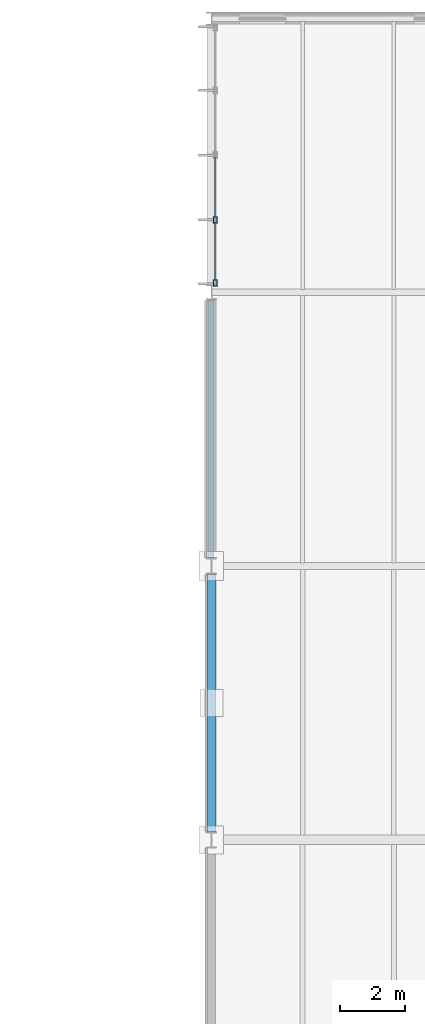
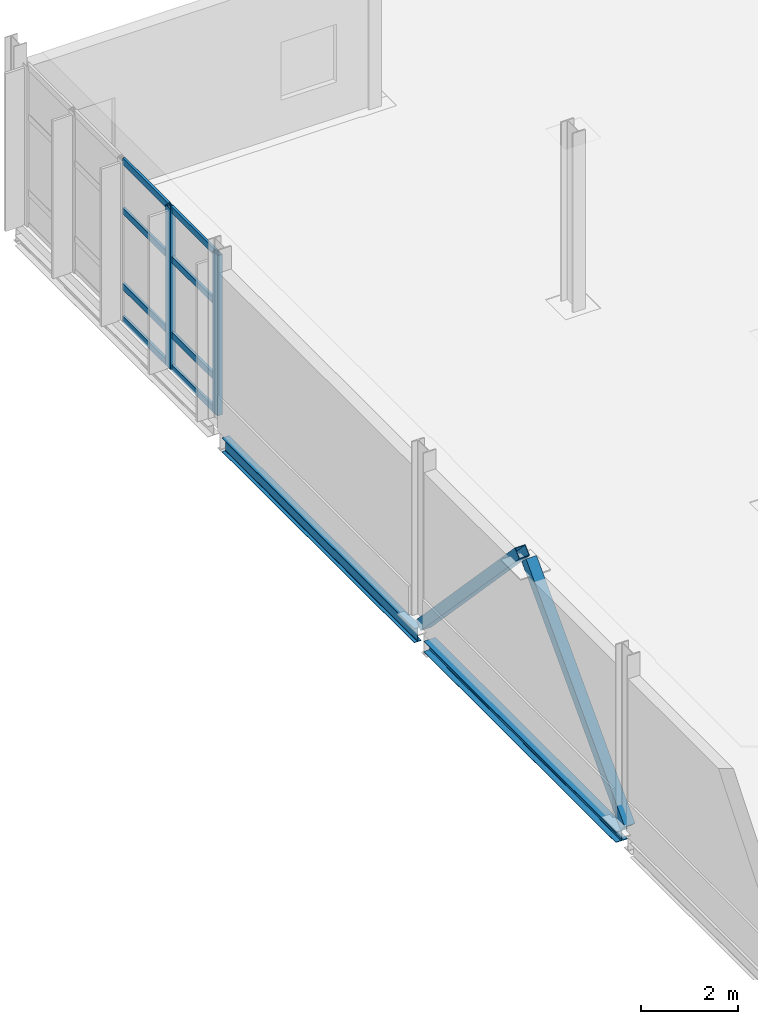
# One storey, part 70 of 129: 12 members, 2 beams, 1 element without a shape of its own.
"""IFC4 building model written with IfcOpenShell, lengths in metres."""

import ifcopenshell
import ifcopenshell.guid

model = None  # the IFC model being written
_history = None  # IfcOwnerHistory: only IFC2X3 demands one
_inside = {}  # id of a spatial element -> (the spatial element, [elements in it])
_under = {}  # id of a project, library or spatial element -> (it, [spatial elements below it])
_declared = {}  # id of a project -> (the project, [libraries it declares])
_typed = {}  # id of a type object -> (the type object, [elements of that type])
_made_of = {}  # id of a material, layer set ... -> (it, [elements and type objects made of it])


def new_model(schema):
    """Start an empty IFC model of exactly this schema.

    Asked for "IFC4X3", IfcOpenShell would pick the latest addendum, in which some entities
    have other attributes; the version numbers below select the first issue.
    IFC2X3 requires an IfcOwnerHistory on every rooted entity: one is made here for all.
    """
    global model, _history
    if schema == "IFC4X3":
        model = ifcopenshell.file(schema_version=(4, 3, 0, 0))
    else:
        model = ifcopenshell.file(schema=schema)
    _inside.clear()
    _under.clear()
    _declared.clear()
    _typed.clear()
    _made_of.clear()
    _history = None
    if model.schema == "IFC2X3":
        org = make("IfcOrganization", Name="unknown")
        user = make(
            "IfcPersonAndOrganization",
            ThePerson=make("IfcPerson", FamilyName="unknown"),
            TheOrganization=org,
        )
        app = make(
            "IfcApplication",
            ApplicationDeveloper=org,
            Version="unknown",
            ApplicationFullName="unknown",
            ApplicationIdentifier="unknown",
        )
        _history = make(
            "IfcOwnerHistory",
            OwningUser=user,
            OwningApplication=app,
            ChangeAction="ADDED",
            CreationDate=0,
        )
    return model


def make(cls, **values):
    """One entity of the class cls with the attributes given. An attribute that is None is left unset."""
    return model.create_entity(
        cls, **{name: value for name, value in values.items() if value is not None}
    )


def rooted(cls, **values):
    """An entity with a GlobalId (a new one), such as an element, a storey or a relation."""
    return make(cls, GlobalId=ifcopenshell.guid.new(), OwnerHistory=_history, **values)


def si_unit(unit_type, name, prefix=None):
    """IfcSIUnit, for example si_unit("LENGTHUNIT", "METRE", prefix="MILLI")."""
    return make("IfcSIUnit", UnitType=unit_type, Prefix=prefix, Name=name)


def assignment(units):
    """IfcUnitAssignment: the units of a project."""
    return None if units is None else make("IfcUnitAssignment", Units=units)


def point(xyz):
    """IfcCartesianPoint."""
    return None if xyz is None else make("IfcCartesianPoint", Coordinates=xyz)


def direction(xyz):
    """IfcDirection."""
    return None if xyz is None else make("IfcDirection", DirectionRatios=xyz)


def frame(location, z_axis=None, x_axis=None):
    """IfcAxis2Placement3D, a coordinate frame: its origin and axes. An axis left out is left unset."""
    return make(
        "IfcAxis2Placement3D",
        Location=point(location),
        Axis=direction(z_axis),
        RefDirection=direction(x_axis),
    )


def frame_2d(location, x_axis=None):
    """IfcAxis2Placement2D, a coordinate frame in the plane: its origin and x axis."""
    return make(
        "IfcAxis2Placement2D", Location=point(location), RefDirection=direction(x_axis)
    )


def origin():
    """The frame at (0, 0, 0) with its axes left unset."""
    return frame((0.0, 0.0, 0.0))


def origin_2d():
    """The frame at (0, 0) in the plane with its x axis left unset."""
    return frame_2d((0.0, 0.0))


def place(relative_to, where):
    """IfcLocalPlacement: puts the frame where relative to a parent placement (None: the world)."""
    return make(
        "IfcLocalPlacement", PlacementRelTo=relative_to, RelativePlacement=where
    )


def context(
    kind, dimensions, precision=None, world=None, true_north=None, identifier=None
):
    """IfcGeometricRepresentationContext, for example the 3D "Model" context."""
    return make(
        "IfcGeometricRepresentationContext",
        ContextIdentifier=identifier,
        ContextType=kind,
        CoordinateSpaceDimension=dimensions,
        Precision=precision,
        WorldCoordinateSystem=world,
        TrueNorth=true_north,
    )


def subcontext(parent, identifier, kind, view, scale=None):
    """IfcGeometricRepresentationSubContext, for example "Body" below "Model"."""
    return make(
        "IfcGeometricRepresentationSubContext",
        ContextIdentifier=identifier,
        ContextType=kind,
        ParentContext=parent,
        TargetScale=scale,
        TargetView=view,
    )


def project(units=None, contexts=None):
    """IfcProject with its units and contexts."""
    return rooted(
        "IfcProject",
        Name="project",
        RepresentationContexts=contexts,
        UnitsInContext=assignment(units),
    )


def spatial(cls, under=None, at=None, **own):
    """A site, building, storey or space (cls), placed at a placement, below another one or the project."""
    s = rooted(cls, ObjectPlacement=at, **own)
    if under is not None:
        _under.setdefault(under.id(), (under, []))[1].append(s)
    return s


def profile(cls, at=None, kind="AREA", **sizes):
    """A parametric profile (cls). Its sizes go by their IFC names, for example OverallWidth=200.0."""
    return make(cls, ProfileType=kind, Position=at, **sizes)


def hollow_rectangle(**sizes):
    """IfcRectangleHollowProfileDef."""
    return profile("IfcRectangleHollowProfileDef", **sizes)


def i_section(**sizes):
    """IfcIShapeProfileDef."""
    return profile("IfcIShapeProfileDef", **sizes)


def extrude(swept, where, along, depth):
    """IfcExtrudedAreaSolid: the profile swept, set in the frame where, extruded along a direction by depth."""
    return make(
        "IfcExtrudedAreaSolid",
        SweptArea=swept,
        Position=where,
        ExtrudedDirection=direction(along),
        Depth=depth,
    )


def shape(context_of_items, identifier, shape_type, items):
    """IfcShapeRepresentation: the items that make up one representation, for example the "Body"."""
    return make(
        "IfcShapeRepresentation",
        ContextOfItems=context_of_items,
        RepresentationIdentifier=identifier,
        RepresentationType=shape_type,
        Items=items,
    )


def material(Name=None, Category=None):
    """IfcMaterial."""
    return make("IfcMaterial", Name=Name, Category=Category)


def material_profile(
    of_material, cross_section, Name=None, Category=None, Priority=None
):
    """IfcMaterialProfile: a cross section and its material."""
    return make(
        "IfcMaterialProfile",
        Name=Name,
        Material=of_material,
        Profile=cross_section,
        Priority=Priority,
        Category=Category,
    )


def profile_set(profiles, Name=None, composite=None):
    """IfcMaterialProfileSet."""
    return make(
        "IfcMaterialProfileSet",
        Name=Name,
        MaterialProfiles=profiles,
        CompositeProfile=composite,
    )


def made_of(thing, what):
    """Note that an element or type object is made of a material, layer set ...; save() writes the relation."""
    if what is not None:
        _made_of.setdefault(what.id(), (what, []))[1].append(thing)
    return thing


def type_object(cls, material=None, **own):
    """A type object (cls), such as IfcWallType, which elements share."""
    return made_of(rooted(cls, **own), material)


def element(
    cls,
    number,
    at=None,
    inside=None,
    cuts=None,
    type_object=None,
    material=None,
    context=None,
    identifier="Body",
    shape_type=None,
    held_by="IfcProductDefinitionShape",
    body=None,
    shapes=None,
    **own,
):
    """One element of the class cls, such as IfcWall. Its Tag is "e" and its number.

    at: its placement. inside: the storey or other place that contains it. cuts: it is an
    opening in that element (IfcRelVoidsElement). A single representation is given by context,
    identifier, shape_type and body (its items); several are given by shapes. held_by: the class
    of the entity that holds the representations. save() writes the other relations.
    """
    e = rooted(cls, Tag="e%d" % number, ObjectPlacement=at, **own)
    if body is not None:
        shapes = [shape(context, identifier, shape_type, body)]
    if shapes is not None:
        e.Representation = make(held_by, Representations=shapes)
    if inside is not None:
        _inside.setdefault(inside.id(), (inside, []))[1].append(e)
    if cuts is not None:
        rooted(
            "IfcRelVoidsElement", RelatingBuildingElement=cuts, RelatedOpeningElement=e
        )
    if type_object is not None:
        _typed.setdefault(type_object.id(), (type_object, []))[1].append(e)
    return made_of(e, material)


def aggregate(whole, parts):
    """IfcRelAggregates: a whole, such as a stair, and the parts it consists of."""
    return rooted("IfcRelAggregates", RelatingObject=whole, RelatedObjects=parts)


def save(model, path):
    """Write the relations noted so far, then the file.

    IfcRelAggregates (storeys below a building ...), IfcRelContainedInSpatialStructure (elements
    in a storey), IfcRelDefinesByType, IfcRelAssociatesMaterial and IfcRelDeclares: one each for
    every whole, place, type object, material and project.
    """
    for whole, parts in _under.values():
        aggregate(whole, parts)
    for where, things in _inside.values():
        rooted(
            "IfcRelContainedInSpatialStructure",
            RelatedElements=things,
            RelatingStructure=where,
        )
    for kind, things in _typed.values():
        rooted("IfcRelDefinesByType", RelatedObjects=things, RelatingType=kind)
    for what, things in _made_of.values():
        rooted("IfcRelAssociatesMaterial", RelatedObjects=things, RelatingMaterial=what)
    for by, libraries in _declared.values():
        rooted("IfcRelDeclares", RelatingContext=by, RelatedDefinitions=libraries)
    model.write(path)


model = new_model("IFC4")

# Units and contexts
model_context = context("Model", 3, precision=1e-05, world=origin(), true_north=direction((0.0, 1.0)))
body_context = subcontext(model_context, "Body", "Model", "MODEL_VIEW")
ifc_project = project(units=[si_unit("LENGTHUNIT", "METRE"), si_unit("AREAUNIT", "SQUARE_METRE"), si_unit("VOLUMEUNIT", "CUBIC_METRE"), si_unit("PLANEANGLEUNIT", "RADIAN"), si_unit("MASSUNIT", "GRAM", prefix="KILO")], contexts=[model_context])

# Site, building, storey
site_placement = place(None, origin())
site = spatial("IfcSite", under=ifc_project, at=site_placement, CompositionType="ELEMENT")
building_placement = place(site_placement, origin())
building = spatial("IfcBuilding", under=site, at=building_placement, Name="Mersafa Astral City Hall", CompositionType="ELEMENT")
storey_placement = place(building_placement, frame((0.0, 0.0, 5.39990234375)))
storey = spatial("IfcBuildingStorey", under=building, at=storey_placement, Name="L01", CompositionType="ELEMENT", Elevation=5.39990234375)

# Curtain wall, members
ifc_material_1 = material(Name="Anodised bronze aluminium framing", Category="aluminium")
curtain_wall_type = type_object("IfcCurtainWallType", Name="ENV-CW-1", PredefinedType="USERDEFINED", material=ifc_material_1)
curtain_wall_placement = place(storey_placement, origin())
curtain_wall = element("IfcCurtainWall", 1, at=curtain_wall_placement, inside=storey, type_object=curtain_wall_type, Name="L01 Unitised solar curtain wall 66", ObjectType="UNITISED CURTAIN WALL", PredefinedType="USERDEFINED")
ifc_material_profile_1 = material_profile(ifc_material_1, hollow_rectangle(XDim=0.1201171875, YDim=0.199951171875, WallThickness=0.008056640625, at=origin_2d()), Name="RHS 120x200x8")
ifc_profile_set_1 = profile_set([ifc_material_profile_1], Name="Anodised bronze aluminium framing")
member_type_1 = type_object("IfcMemberType", Name="ENV-CW-MUL-2", PredefinedType="MULLION", material=ifc_profile_set_1)
member_1_placement = place(storey_placement, frame((159.719970703125, 86.224853515625, -0.001953125), z_axis=(0.0, 0.0, 1.0), x_axis=(1.0, 0.0, 0.0)))
member_1 = element("IfcMember", 2, at=member_1_placement, type_object=member_type_1, Name="CW-1 mullion 4", PredefinedType="MULLION", context=body_context, shape_type="SweptSolid", body=[
    extrude(hollow_rectangle(XDim=0.1201171875, YDim=0.199951171875, WallThickness=0.008056640625, at=origin_2d()), origin(), (0.0, 0.0, 1.0), 4.029052734375),
])
member_2_placement = place(storey_placement, frame((159.719970703125, 84.297119140625, -0.001953125), z_axis=(0.0, 0.0, 1.0), x_axis=(1.0, 0.0, 0.0)))
member_2 = element("IfcMember", 3, at=member_2_placement, type_object=member_type_1, Name="CW-1 mullion 5", PredefinedType="MULLION", context=body_context, shape_type="SweptSolid", body=[
    extrude(hollow_rectangle(XDim=0.1201171875, YDim=0.199951171875, WallThickness=0.008056640625, at=origin_2d()), origin(), (0.0, 0.0, 1.0), 4.029052734375),
])
ifc_material_profile_2 = material_profile(ifc_material_1, hollow_rectangle(XDim=0.06005859375, YDim=0.159912109375, WallThickness=0.00390625, at=origin_2d()), Name="RHS 60x160x4")
ifc_profile_set_2 = profile_set([ifc_material_profile_2], Name="Anodised bronze aluminium framing")
member_type_2 = type_object("IfcMemberType", Name="ENV-CW-TRN-2", PredefinedType="USERDEFINED", material=ifc_profile_set_2)
member_3_placement = place(storey_placement, frame((159.719970703125, 88.152587890625, 0.028076171875), z_axis=(0.0, -1.0, 0.0), x_axis=(1.0, 0.0, 0.0)))
member_3 = element("IfcMember", 4, at=member_3_placement, type_object=member_type_2, Name="CW-1 transom 3.1", ObjectType="TRANSOM", PredefinedType="USERDEFINED", context=body_context, shape_type="SweptSolid", body=[
    extrude(hollow_rectangle(XDim=0.06005859375, YDim=0.159912109375, WallThickness=0.00390625, at=origin_2d()), origin(), (0.0, 0.0, 1.0), 1.867919921875),
])
member_4_placement = place(storey_placement, frame((159.719970703125, 88.152587890625, 0.85009765625), z_axis=(0.0, -1.0, 0.0), x_axis=(1.0, 0.0, 0.0)))
member_4 = element("IfcMember", 5, at=member_4_placement, type_object=member_type_2, Name="CW-1 transom 3.2", ObjectType="TRANSOM", PredefinedType="USERDEFINED", context=body_context, shape_type="SweptSolid", body=[
    extrude(hollow_rectangle(XDim=0.06005859375, YDim=0.159912109375, WallThickness=0.00390625, at=origin_2d()), origin(), (0.0, 0.0, 1.0), 1.867919921875),
])
member_5_placement = place(storey_placement, frame((159.719970703125, 88.152587890625, 2.75), z_axis=(0.0, -1.0, 0.0), x_axis=(1.0, 0.0, 0.0)))
member_5 = element("IfcMember", 6, at=member_5_placement, type_object=member_type_2, Name="CW-1 transom 3.3", ObjectType="TRANSOM", PredefinedType="USERDEFINED", context=body_context, shape_type="SweptSolid", body=[
    extrude(hollow_rectangle(XDim=0.06005859375, YDim=0.159912109375, WallThickness=0.00390625, at=origin_2d()), origin(), (0.0, 0.0, 1.0), 1.867919921875),
])
member_6_placement = place(storey_placement, frame((159.719970703125, 88.152587890625, 3.9970703125), z_axis=(0.0, -1.0, 0.0), x_axis=(1.0, 0.0, 0.0)))
member_6 = element("IfcMember", 7, at=member_6_placement, type_object=member_type_2, Name="CW-1 transom 3.4", ObjectType="TRANSOM", PredefinedType="USERDEFINED", context=body_context, shape_type="SweptSolid", body=[
    extrude(hollow_rectangle(XDim=0.06005859375, YDim=0.159912109375, WallThickness=0.00390625, at=origin_2d()), origin(), (0.0, 0.0, 1.0), 1.867919921875),
])
member_7_placement = place(storey_placement, frame((159.719970703125, 86.164794921875, 0.028076171875), z_axis=(0.0, -1.0, 0.0), x_axis=(1.0, 0.0, 0.0)))
member_7 = element("IfcMember", 8, at=member_7_placement, type_object=member_type_2, Name="CW-1 transom 4.1", ObjectType="TRANSOM", PredefinedType="USERDEFINED", context=body_context, shape_type="SweptSolid", body=[
    extrude(hollow_rectangle(XDim=0.06005859375, YDim=0.159912109375, WallThickness=0.00390625, at=origin_2d()), origin(), (0.0, 0.0, 1.0), 1.807861328125),
])
member_8_placement = place(storey_placement, frame((159.719970703125, 86.164794921875, 0.85009765625), z_axis=(0.0, -1.0, 0.0), x_axis=(1.0, 0.0, 0.0)))
member_8 = element("IfcMember", 9, at=member_8_placement, type_object=member_type_2, Name="CW-1 transom 4.2", ObjectType="TRANSOM", PredefinedType="USERDEFINED", context=body_context, shape_type="SweptSolid", body=[
    extrude(hollow_rectangle(XDim=0.06005859375, YDim=0.159912109375, WallThickness=0.00390625, at=origin_2d()), origin(), (0.0, 0.0, 1.0), 1.807861328125),
])
member_9_placement = place(storey_placement, frame((159.719970703125, 86.164794921875, 2.75), z_axis=(0.0, -1.0, 0.0), x_axis=(1.0, 0.0, 0.0)))
member_9 = element("IfcMember", 10, at=member_9_placement, type_object=member_type_2, Name="CW-1 transom 4.3", ObjectType="TRANSOM", PredefinedType="USERDEFINED", context=body_context, shape_type="SweptSolid", body=[
    extrude(hollow_rectangle(XDim=0.06005859375, YDim=0.159912109375, WallThickness=0.00390625, at=origin_2d()), origin(), (0.0, 0.0, 1.0), 1.807861328125),
])
member_10_placement = place(storey_placement, frame((159.719970703125, 86.164794921875, 3.9970703125), z_axis=(0.0, -1.0, 0.0), x_axis=(1.0, 0.0, 0.0)))
member_10 = element("IfcMember", 11, at=member_10_placement, type_object=member_type_2, Name="CW-1 transom 4.4", ObjectType="TRANSOM", PredefinedType="USERDEFINED", context=body_context, shape_type="SweptSolid", body=[
    extrude(hollow_rectangle(XDim=0.06005859375, YDim=0.159912109375, WallThickness=0.00390625, at=origin_2d()), origin(), (0.0, 0.0, 1.0), 1.807861328125),
])
aggregate(curtain_wall, [member_1, member_2, member_3, member_4, member_5, member_6, member_7, member_8, member_9, member_10])

# Beams
ifc_material_2 = material(Name="Steel S355", Category="steel")
ifc_material_profile_3 = material_profile(ifc_material_2, i_section(OverallWidth=0.280029296875, OverallDepth=0.27001953125, WebThickness=0.008056640625, FlangeThickness=0.012939453125, FilletRadius=0.02392578125, at=origin_2d()), Name="HEA 280")
ifc_profile_set_3 = profile_set([ifc_material_profile_3], Name="Steel S355")
beam_type_1 = type_object("IfcBeamType", Name="STR-BM-SPANDREL-HEA280", PredefinedType="SPANDREL", material=ifc_profile_set_3)
beam_1_placement = place(storey_placement, frame((159.60009765625, 67.445068359375, -0.35986328125), z_axis=(0.0, 1.0, 0.0), x_axis=(-1.0, 0.0, 0.0)))
element("IfcBeam", 12, at=beam_1_placement, inside=storey, type_object=beam_type_1, Name="L01 Primary girder Y 19-8", PredefinedType="SPANDREL", context=body_context, shape_type="SweptSolid", body=[
    extrude(i_section(OverallWidth=0.280029296875, OverallDepth=0.27001953125, WebThickness=0.008056640625, FlangeThickness=0.012939453125, FilletRadius=0.02392578125, at=origin_2d()), origin(), (0.0, 0.0, 1.0), 7.909912109375),
])
ifc_material_profile_4 = material_profile(ifc_material_2, i_section(OverallWidth=0.169921875, OverallDepth=0.360107421875, WebThickness=0.008056640625, FlangeThickness=0.0126953125, FilletRadius=0.01806640625, at=origin_2d()), Name="IPE 360")
ifc_profile_set_4 = profile_set([ifc_material_profile_4], Name="Steel S355")
beam_type_2 = type_object("IfcBeamType", Name="STR-BM-SPANDREL-IPE360", PredefinedType="SPANDREL", material=ifc_profile_set_4)
beam_2_placement = place(storey_placement, frame((159.60009765625, 75.844970703125, -0.40478515625), z_axis=(0.0, 1.0, 0.0), x_axis=(-1.0, 0.0, 0.0)))
element("IfcBeam", 13, at=beam_2_placement, inside=storey, type_object=beam_type_2, Name="L01 Primary girder Y 19-9", PredefinedType="SPANDREL", context=body_context, shape_type="SweptSolid", body=[
    extrude(i_section(OverallWidth=0.169921875, OverallDepth=0.360107421875, WebThickness=0.008056640625, FlangeThickness=0.0126953125, FilletRadius=0.01806640625, at=origin_2d()), origin(), (0.0, 0.0, 1.0), 7.909912109375),
])

# Members
ifc_material_profile_5 = material_profile(ifc_material_2, hollow_rectangle(XDim=0.25, YDim=0.25, WallThickness=0.012451171875, at=origin_2d()), Name="RHS 250x250x12.5")
ifc_profile_set_5 = profile_set([ifc_material_profile_5], Name="Steel S355")
member_type_3 = type_object("IfcMemberType", Name="STR-MBR-STRUT-RHS250", PredefinedType="BRACE", material=ifc_profile_set_5)
for number, where, z_axis, x_axis, name in (
    (14, (159.60009765625, 67.197998046875, 0.02001953125), (0.0, 0.689239226406, 0.7245338424), (-1.0, 0.0, 0.0), "L01 Chevron lateral brace 33A"),
    (15, (159.60009765625, 75.60205078125, 0.02001953125), (0.0, -0.689239226406, 0.7245338424), (1.0, 0.0, 0.0), "L01 Chevron lateral brace 33B"),
):
    element("IfcMember", number, at=place(storey_placement, frame(where, z_axis=z_axis, x_axis=x_axis)), inside=storey, type_object=member_type_3, Name=name, PredefinedType="BRACE", context=body_context, shape_type="SweptSolid", body=[
        extrude(hollow_rectangle(XDim=0.25, YDim=0.25, WallThickness=0.012451171875, at=origin_2d()), origin(), (0.0, 0.0, 1.0), 5.8935546875),
    ])

save(model, "model.ifc")
